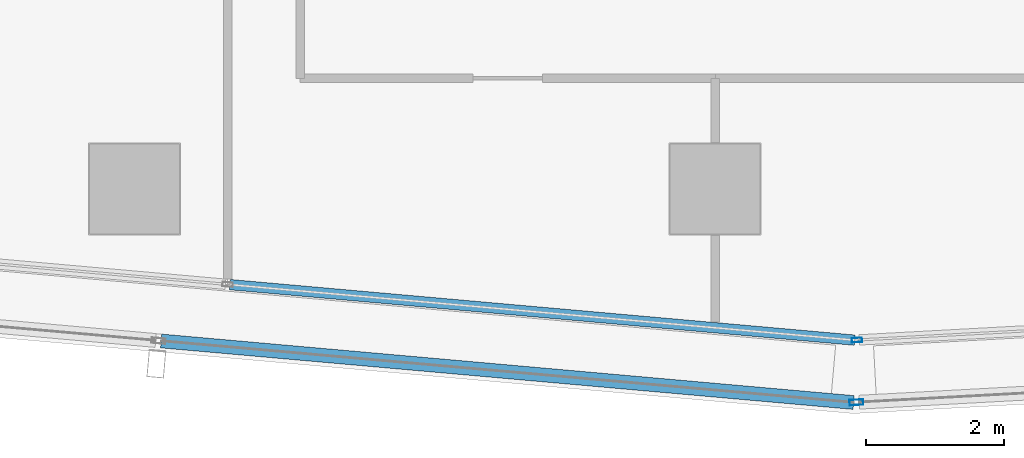
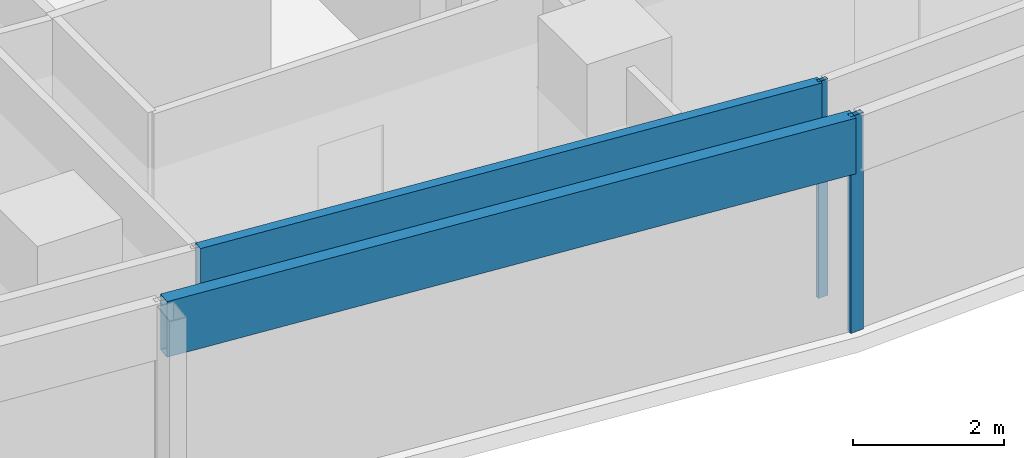
# One storey, part 5 of 29: 4 members, 4 elements without a shape of their own.
"""IFC4 building model written with IfcOpenShell, lengths in metres."""

import ifcopenshell
import ifcopenshell.guid

model = None  # the IFC model being written
_history = None  # IfcOwnerHistory: only IFC2X3 demands one
_inside = {}  # id of a spatial element -> (the spatial element, [elements in it])
_under = {}  # id of a project, library or spatial element -> (it, [spatial elements below it])
_declared = {}  # id of a project -> (the project, [libraries it declares])
_typed = {}  # id of a type object -> (the type object, [elements of that type])
_made_of = {}  # id of a material, layer set ... -> (it, [elements and type objects made of it])


def new_model(schema):
    """Start an empty IFC model of exactly this schema.

    Asked for "IFC4X3", IfcOpenShell would pick the latest addendum, in which some entities
    have other attributes; the version numbers below select the first issue.
    IFC2X3 requires an IfcOwnerHistory on every rooted entity: one is made here for all.
    """
    global model, _history
    if schema == "IFC4X3":
        model = ifcopenshell.file(schema_version=(4, 3, 0, 0))
    else:
        model = ifcopenshell.file(schema=schema)
    _inside.clear()
    _under.clear()
    _declared.clear()
    _typed.clear()
    _made_of.clear()
    _history = None
    if model.schema == "IFC2X3":
        org = make("IfcOrganization", Name="unknown")
        user = make(
            "IfcPersonAndOrganization",
            ThePerson=make("IfcPerson", FamilyName="unknown"),
            TheOrganization=org,
        )
        app = make(
            "IfcApplication",
            ApplicationDeveloper=org,
            Version="unknown",
            ApplicationFullName="unknown",
            ApplicationIdentifier="unknown",
        )
        _history = make(
            "IfcOwnerHistory",
            OwningUser=user,
            OwningApplication=app,
            ChangeAction="ADDED",
            CreationDate=0,
        )
    return model


def make(cls, **values):
    """One entity of the class cls with the attributes given. An attribute that is None is left unset."""
    return model.create_entity(
        cls, **{name: value for name, value in values.items() if value is not None}
    )


def rooted(cls, **values):
    """An entity with a GlobalId (a new one), such as an element, a storey or a relation."""
    return make(cls, GlobalId=ifcopenshell.guid.new(), OwnerHistory=_history, **values)


def si_unit(unit_type, name, prefix=None):
    """IfcSIUnit, for example si_unit("LENGTHUNIT", "METRE", prefix="MILLI")."""
    return make("IfcSIUnit", UnitType=unit_type, Prefix=prefix, Name=name)


def assignment(units):
    """IfcUnitAssignment: the units of a project."""
    return None if units is None else make("IfcUnitAssignment", Units=units)


def point(xyz):
    """IfcCartesianPoint."""
    return None if xyz is None else make("IfcCartesianPoint", Coordinates=xyz)


def direction(xyz):
    """IfcDirection."""
    return None if xyz is None else make("IfcDirection", DirectionRatios=xyz)


def frame(location, z_axis=None, x_axis=None):
    """IfcAxis2Placement3D, a coordinate frame: its origin and axes. An axis left out is left unset."""
    return make(
        "IfcAxis2Placement3D",
        Location=point(location),
        Axis=direction(z_axis),
        RefDirection=direction(x_axis),
    )


def frame_2d(location, x_axis=None):
    """IfcAxis2Placement2D, a coordinate frame in the plane: its origin and x axis."""
    return make(
        "IfcAxis2Placement2D", Location=point(location), RefDirection=direction(x_axis)
    )


def origin():
    """The frame at (0, 0, 0) with its axes left unset."""
    return frame((0.0, 0.0, 0.0))


def origin_2d():
    """The frame at (0, 0) in the plane with its x axis left unset."""
    return frame_2d((0.0, 0.0))


def place(relative_to, where):
    """IfcLocalPlacement: puts the frame where relative to a parent placement (None: the world)."""
    return make(
        "IfcLocalPlacement", PlacementRelTo=relative_to, RelativePlacement=where
    )


def context(
    kind, dimensions, precision=None, world=None, true_north=None, identifier=None
):
    """IfcGeometricRepresentationContext, for example the 3D "Model" context."""
    return make(
        "IfcGeometricRepresentationContext",
        ContextIdentifier=identifier,
        ContextType=kind,
        CoordinateSpaceDimension=dimensions,
        Precision=precision,
        WorldCoordinateSystem=world,
        TrueNorth=true_north,
    )


def subcontext(parent, identifier, kind, view, scale=None):
    """IfcGeometricRepresentationSubContext, for example "Body" below "Model"."""
    return make(
        "IfcGeometricRepresentationSubContext",
        ContextIdentifier=identifier,
        ContextType=kind,
        ParentContext=parent,
        TargetScale=scale,
        TargetView=view,
    )


def project(units=None, contexts=None):
    """IfcProject with its units and contexts."""
    return rooted(
        "IfcProject",
        Name="project",
        RepresentationContexts=contexts,
        UnitsInContext=assignment(units),
    )


def spatial(cls, under=None, at=None, **own):
    """A site, building, storey or space (cls), placed at a placement, below another one or the project."""
    s = rooted(cls, ObjectPlacement=at, **own)
    if under is not None:
        _under.setdefault(under.id(), (under, []))[1].append(s)
    return s


def profile(cls, at=None, kind="AREA", **sizes):
    """A parametric profile (cls). Its sizes go by their IFC names, for example OverallWidth=200.0."""
    return make(cls, ProfileType=kind, Position=at, **sizes)


def hollow_rectangle(**sizes):
    """IfcRectangleHollowProfileDef."""
    return profile("IfcRectangleHollowProfileDef", **sizes)


def extrude(swept, where, along, depth):
    """IfcExtrudedAreaSolid: the profile swept, set in the frame where, extruded along a direction by depth."""
    return make(
        "IfcExtrudedAreaSolid",
        SweptArea=swept,
        Position=where,
        ExtrudedDirection=direction(along),
        Depth=depth,
    )


def shape(context_of_items, identifier, shape_type, items):
    """IfcShapeRepresentation: the items that make up one representation, for example the "Body"."""
    return make(
        "IfcShapeRepresentation",
        ContextOfItems=context_of_items,
        RepresentationIdentifier=identifier,
        RepresentationType=shape_type,
        Items=items,
    )


def material(Name=None, Category=None):
    """IfcMaterial."""
    return make("IfcMaterial", Name=Name, Category=Category)


def material_profile(
    of_material, cross_section, Name=None, Category=None, Priority=None
):
    """IfcMaterialProfile: a cross section and its material."""
    return make(
        "IfcMaterialProfile",
        Name=Name,
        Material=of_material,
        Profile=cross_section,
        Priority=Priority,
        Category=Category,
    )


def profile_set(profiles, Name=None, composite=None):
    """IfcMaterialProfileSet."""
    return make(
        "IfcMaterialProfileSet",
        Name=Name,
        MaterialProfiles=profiles,
        CompositeProfile=composite,
    )


def made_of(thing, what):
    """Note that an element or type object is made of a material, layer set ...; save() writes the relation."""
    if what is not None:
        _made_of.setdefault(what.id(), (what, []))[1].append(thing)
    return thing


def type_object(cls, material=None, **own):
    """A type object (cls), such as IfcWallType, which elements share."""
    return made_of(rooted(cls, **own), material)


def element(
    cls,
    number,
    at=None,
    inside=None,
    cuts=None,
    type_object=None,
    material=None,
    context=None,
    identifier="Body",
    shape_type=None,
    held_by="IfcProductDefinitionShape",
    body=None,
    shapes=None,
    **own,
):
    """One element of the class cls, such as IfcWall. Its Tag is "e" and its number.

    at: its placement. inside: the storey or other place that contains it. cuts: it is an
    opening in that element (IfcRelVoidsElement). A single representation is given by context,
    identifier, shape_type and body (its items); several are given by shapes. held_by: the class
    of the entity that holds the representations. save() writes the other relations.
    """
    e = rooted(cls, Tag="e%d" % number, ObjectPlacement=at, **own)
    if body is not None:
        shapes = [shape(context, identifier, shape_type, body)]
    if shapes is not None:
        e.Representation = make(held_by, Representations=shapes)
    if inside is not None:
        _inside.setdefault(inside.id(), (inside, []))[1].append(e)
    if cuts is not None:
        rooted(
            "IfcRelVoidsElement", RelatingBuildingElement=cuts, RelatedOpeningElement=e
        )
    if type_object is not None:
        _typed.setdefault(type_object.id(), (type_object, []))[1].append(e)
    return made_of(e, material)


def aggregate(whole, parts):
    """IfcRelAggregates: a whole, such as a stair, and the parts it consists of."""
    return rooted("IfcRelAggregates", RelatingObject=whole, RelatedObjects=parts)


def save(model, path):
    """Write the relations noted so far, then the file.

    IfcRelAggregates (storeys below a building ...), IfcRelContainedInSpatialStructure (elements
    in a storey), IfcRelDefinesByType, IfcRelAssociatesMaterial and IfcRelDeclares: one each for
    every whole, place, type object, material and project.
    """
    for whole, parts in _under.values():
        aggregate(whole, parts)
    for where, things in _inside.values():
        rooted(
            "IfcRelContainedInSpatialStructure",
            RelatedElements=things,
            RelatingStructure=where,
        )
    for kind, things in _typed.values():
        rooted("IfcRelDefinesByType", RelatedObjects=things, RelatingType=kind)
    for what, things in _made_of.values():
        rooted("IfcRelAssociatesMaterial", RelatedObjects=things, RelatingMaterial=what)
    for by, libraries in _declared.values():
        rooted("IfcRelDeclares", RelatingContext=by, RelatedDefinitions=libraries)
    model.write(path)


model = new_model("IFC4")

# Units and contexts
model_context = context("Model", 3, precision=1e-05, world=origin(), true_north=direction((0.0, 1.0)))
body_context = subcontext(model_context, "Body", "Model", "MODEL_VIEW")
ifc_project = project(units=[si_unit("LENGTHUNIT", "METRE"), si_unit("AREAUNIT", "SQUARE_METRE"), si_unit("VOLUMEUNIT", "CUBIC_METRE"), si_unit("PLANEANGLEUNIT", "RADIAN"), si_unit("MASSUNIT", "GRAM", prefix="KILO")], contexts=[model_context])

# Site, building, storey
site_placement = place(None, origin())
site = spatial("IfcSite", under=ifc_project, at=site_placement, CompositionType="ELEMENT")
building_placement = place(site_placement, origin())
building = spatial("IfcBuilding", under=site, at=building_placement, Name="Rekha Terrace Tower", CompositionType="ELEMENT")
storey_placement = place(building_placement, frame((0.0, 0.0, 280.10009765625)))
storey = spatial("IfcBuildingStorey", under=building, at=storey_placement, Name="L71", CompositionType="ELEMENT", Elevation=280.10009765625)

# Curtain wall, member
ifc_material_1 = material(Name="Aluminium framing", Category="aluminium")
curtain_wall_type_1 = type_object("IfcCurtainWallType", Name="CW1 double skin inner glazing", PredefinedType="USERDEFINED", material=ifc_material_1)
curtain_wall_1_placement = place(storey_placement, origin())
curtain_wall_1 = element("IfcCurtainWall", 1, at=curtain_wall_1_placement, inside=storey, type_object=curtain_wall_type_1, Name="CW1 double skin inner glazing", ObjectType="DOUBLE SKIN INNER GLAZING", PredefinedType="USERDEFINED")
ifc_material_2 = material(Name="Aluminium mullion section", Category="aluminium")
ifc_material_profile_1 = material_profile(ifc_material_2, hollow_rectangle(XDim=0.06494140625, YDim=0.14990234375, WallThickness=0.00390625, at=origin_2d()), Name="AL RHS 65x150")
ifc_profile_set_1 = profile_set([ifc_material_profile_1], Name="Aluminium mullion section")
member_type_1 = type_object("IfcMemberType", Name="CW1 mullion RHS 65 x 150", PredefinedType="MULLION", material=ifc_profile_set_1)
member_1_placement = place(storey_placement, frame((27.254638671875, 14.6142578125, 0.0), z_axis=(0.0, 0.0, 1.0), x_axis=(-0.054388903036, 0.998519828159, 0.0)))
member_1 = element("IfcMember", 2, at=member_1_placement, type_object=member_type_1, Name="CW1 mullion 1", PredefinedType="MULLION", context=body_context, shape_type="SweptSolid", body=[
    extrude(hollow_rectangle(XDim=0.06494140625, YDim=0.14990234375, WallThickness=0.00390625, at=origin_2d()), origin(), (0.0, 0.0, 1.0), 3.5),
])
aggregate(curtain_wall_1, [member_1])

curtain_wall_2_placement = place(storey_placement, origin())
curtain_wall_2 = element("IfcCurtainWall", 3, at=curtain_wall_2_placement, inside=storey, type_object=curtain_wall_type_1, Name="CW1 double skin inner glazing", ObjectType="DOUBLE SKIN INNER GLAZING", PredefinedType="USERDEFINED")
ifc_material_3 = material(Name="Insulated aluminium spandrel box", Category="aluminium")
ifc_material_profile_2 = material_profile(ifc_material_3, hollow_rectangle(XDim=0.14990234375, YDim=0.89990234375, WallThickness=0.0029296875, at=origin_2d()), Name="AL SPANDREL BOX 150x900")
ifc_profile_set_2 = profile_set([ifc_material_profile_2], Name="Insulated aluminium spandrel box")
member_type_2 = type_object("IfcMemberType", Name="CW1 spandrel transom 150 x 900", PredefinedType="USERDEFINED", material=ifc_profile_set_2)
member_2_placement = place(storey_placement, frame((18.181884765625, 15.416015625, 3.0498046875), z_axis=(0.996073747712, -0.088527335432, 0.0), x_axis=(0.088527335432, 0.996073747712, 0.0)))
member_2 = element("IfcMember", 4, at=member_2_placement, type_object=member_type_2, Name="CW1 spandrel transom 2", ObjectType="TRANSOM", PredefinedType="USERDEFINED", context=body_context, shape_type="SweptSolid", body=[
    extrude(hollow_rectangle(XDim=0.14990234375, YDim=0.89990234375, WallThickness=0.0029296875, at=origin_2d()), origin(), (0.0, 0.0, 1.0), 9.075927734375),
])
aggregate(curtain_wall_2, [member_2])

curtain_wall_type_2 = type_object("IfcCurtainWallType", Name="CW2 double skin outer glazing", PredefinedType="USERDEFINED", material=ifc_material_1)
curtain_wall_3_placement = place(storey_placement, origin())
curtain_wall_3 = element("IfcCurtainWall", 5, at=curtain_wall_3_placement, inside=storey, type_object=curtain_wall_type_2, Name="CW2 double skin outer glazing", ObjectType="DOUBLE SKIN OUTER GLAZING", PredefinedType="USERDEFINED")
ifc_material_profile_3 = material_profile(ifc_material_2, hollow_rectangle(XDim=0.080078125, YDim=0.199951171875, WallThickness=0.00390625, at=origin_2d()), Name="AL RHS 80x200")
ifc_profile_set_3 = profile_set([ifc_material_profile_3], Name="Aluminium mullion section")
member_type_3 = type_object("IfcMemberType", Name="CW2 mullion RHS 80 x 200", PredefinedType="MULLION", material=ifc_profile_set_3)
member_3_placement = place(storey_placement, frame((27.24658203125, 13.712646484375, 0.0), z_axis=(0.0, 0.0, 1.0), x_axis=(-0.054388903071, 0.998519828157, 0.0)))
member_3 = element("IfcMember", 6, at=member_3_placement, type_object=member_type_3, Name="CW2 mullion 1", PredefinedType="MULLION", context=body_context, shape_type="SweptSolid", body=[
    extrude(hollow_rectangle(XDim=0.080078125, YDim=0.199951171875, WallThickness=0.00390625, at=origin_2d()), origin(), (0.0, 0.0, 1.0), 3.5),
])
aggregate(curtain_wall_3, [member_3])

curtain_wall_4_placement = place(storey_placement, origin())
curtain_wall_4 = element("IfcCurtainWall", 7, at=curtain_wall_4_placement, inside=storey, type_object=curtain_wall_type_2, Name="CW2 double skin outer glazing", ObjectType="DOUBLE SKIN OUTER GLAZING", PredefinedType="USERDEFINED")
ifc_material_profile_4 = material_profile(ifc_material_3, hollow_rectangle(XDim=0.199951171875, YDim=0.89990234375, WallThickness=0.0029296875, at=origin_2d()), Name="AL SPANDREL BOX 200x900")
ifc_profile_set_4 = profile_set([ifc_material_profile_4], Name="Insulated aluminium spandrel box")
member_type_4 = type_object("IfcMemberType", Name="CW2 spandrel transom 200 x 900", PredefinedType="USERDEFINED", material=ifc_profile_set_4)
member_4_placement = place(storey_placement, frame((17.188232421875, 14.600830078125, 3.0498046875), z_axis=(0.996074020135, -0.088524270188, 0.0), x_axis=(0.088524270188, 0.996074020135, 0.0)))
member_4 = element("IfcMember", 8, at=member_4_placement, type_object=member_type_4, Name="CW2 spandrel transom 2", ObjectType="TRANSOM", PredefinedType="USERDEFINED", context=body_context, shape_type="SweptSolid", body=[
    extrude(hollow_rectangle(XDim=0.199951171875, YDim=0.89990234375, WallThickness=0.0029296875, at=origin_2d()), origin(), (0.0, 0.0, 1.0), 10.05810546875),
])
aggregate(curtain_wall_4, [member_4])

save(model, "model.ifc")
